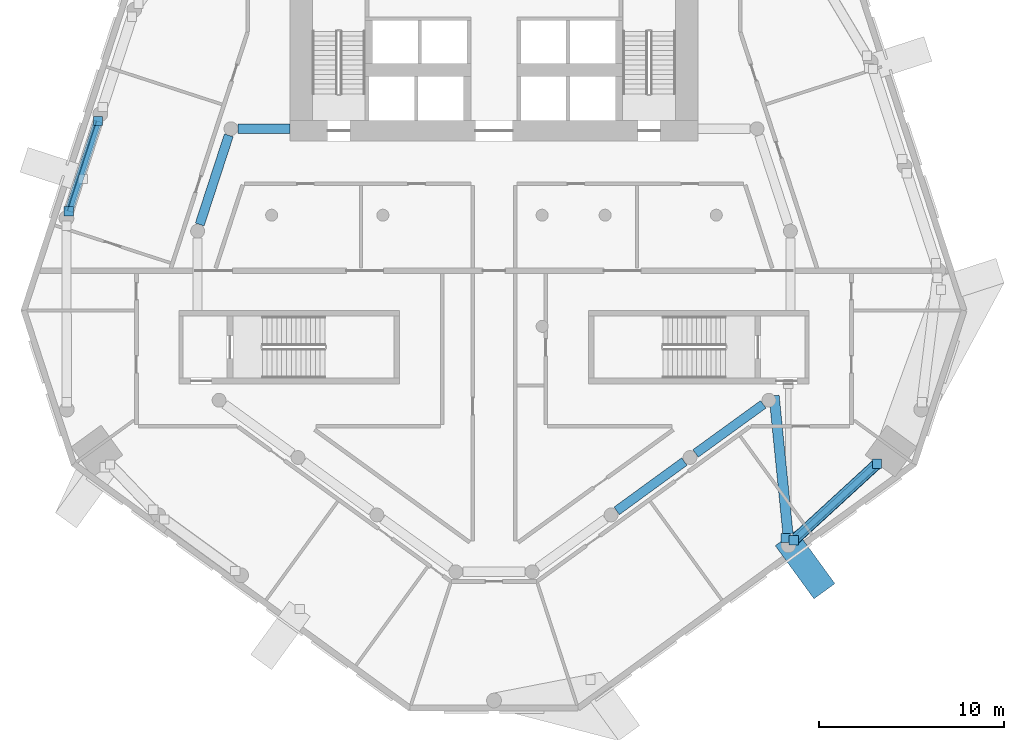
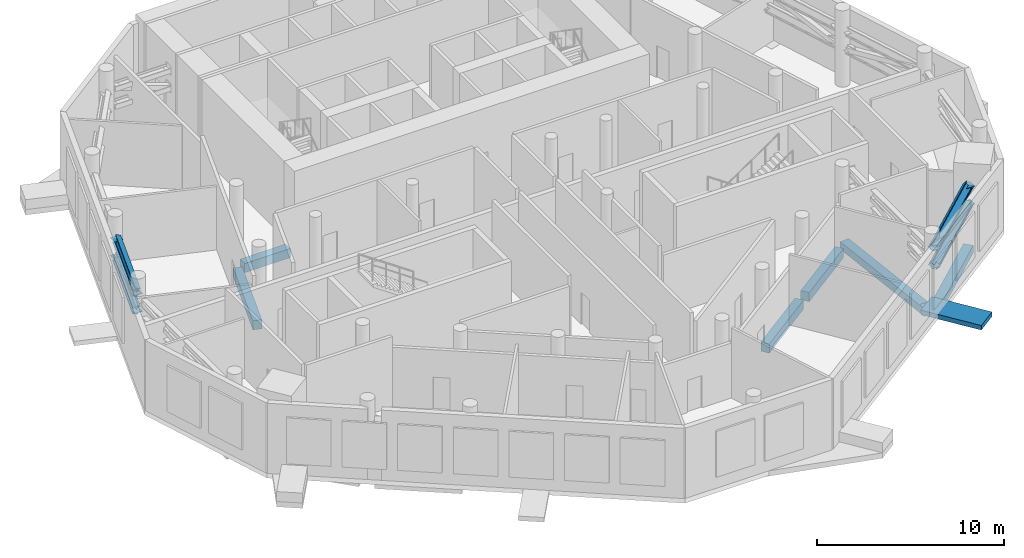
# One storey, part 2 of 15: 9 discrete accessories, 7 members, 6 beams.
"""IFC4 building model written with IfcOpenShell, lengths in metres."""

import ifcopenshell
import ifcopenshell.guid

model = None  # the IFC model being written
_history = None  # IfcOwnerHistory: only IFC2X3 demands one
_inside = {}  # id of a spatial element -> (the spatial element, [elements in it])
_under = {}  # id of a project, library or spatial element -> (it, [spatial elements below it])
_declared = {}  # id of a project -> (the project, [libraries it declares])
_typed = {}  # id of a type object -> (the type object, [elements of that type])
_made_of = {}  # id of a material, layer set ... -> (it, [elements and type objects made of it])


def new_model(schema):
    """Start an empty IFC model of exactly this schema.

    Asked for "IFC4X3", IfcOpenShell would pick the latest addendum, in which some entities
    have other attributes; the version numbers below select the first issue.
    IFC2X3 requires an IfcOwnerHistory on every rooted entity: one is made here for all.
    """
    global model, _history
    if schema == "IFC4X3":
        model = ifcopenshell.file(schema_version=(4, 3, 0, 0))
    else:
        model = ifcopenshell.file(schema=schema)
    _inside.clear()
    _under.clear()
    _declared.clear()
    _typed.clear()
    _made_of.clear()
    _history = None
    if model.schema == "IFC2X3":
        org = make("IfcOrganization", Name="unknown")
        user = make(
            "IfcPersonAndOrganization",
            ThePerson=make("IfcPerson", FamilyName="unknown"),
            TheOrganization=org,
        )
        app = make(
            "IfcApplication",
            ApplicationDeveloper=org,
            Version="unknown",
            ApplicationFullName="unknown",
            ApplicationIdentifier="unknown",
        )
        _history = make(
            "IfcOwnerHistory",
            OwningUser=user,
            OwningApplication=app,
            ChangeAction="ADDED",
            CreationDate=0,
        )
    return model


def make(cls, **values):
    """One entity of the class cls with the attributes given. An attribute that is None is left unset."""
    return model.create_entity(
        cls, **{name: value for name, value in values.items() if value is not None}
    )


def rooted(cls, **values):
    """An entity with a GlobalId (a new one), such as an element, a storey or a relation."""
    return make(cls, GlobalId=ifcopenshell.guid.new(), OwnerHistory=_history, **values)


def si_unit(unit_type, name, prefix=None):
    """IfcSIUnit, for example si_unit("LENGTHUNIT", "METRE", prefix="MILLI")."""
    return make("IfcSIUnit", UnitType=unit_type, Prefix=prefix, Name=name)


def assignment(units):
    """IfcUnitAssignment: the units of a project."""
    return None if units is None else make("IfcUnitAssignment", Units=units)


def point(xyz):
    """IfcCartesianPoint."""
    return None if xyz is None else make("IfcCartesianPoint", Coordinates=xyz)


def direction(xyz):
    """IfcDirection."""
    return None if xyz is None else make("IfcDirection", DirectionRatios=xyz)


def frame(location, z_axis=None, x_axis=None):
    """IfcAxis2Placement3D, a coordinate frame: its origin and axes. An axis left out is left unset."""
    return make(
        "IfcAxis2Placement3D",
        Location=point(location),
        Axis=direction(z_axis),
        RefDirection=direction(x_axis),
    )


def frame_2d(location, x_axis=None):
    """IfcAxis2Placement2D, a coordinate frame in the plane: its origin and x axis."""
    return make(
        "IfcAxis2Placement2D", Location=point(location), RefDirection=direction(x_axis)
    )


def origin():
    """The frame at (0, 0, 0) with its axes left unset."""
    return frame((0.0, 0.0, 0.0))


def origin_2d():
    """The frame at (0, 0) in the plane with its x axis left unset."""
    return frame_2d((0.0, 0.0))


def place(relative_to, where):
    """IfcLocalPlacement: puts the frame where relative to a parent placement (None: the world)."""
    return make(
        "IfcLocalPlacement", PlacementRelTo=relative_to, RelativePlacement=where
    )


def context(
    kind, dimensions, precision=None, world=None, true_north=None, identifier=None
):
    """IfcGeometricRepresentationContext, for example the 3D "Model" context."""
    return make(
        "IfcGeometricRepresentationContext",
        ContextIdentifier=identifier,
        ContextType=kind,
        CoordinateSpaceDimension=dimensions,
        Precision=precision,
        WorldCoordinateSystem=world,
        TrueNorth=true_north,
    )


def subcontext(parent, identifier, kind, view, scale=None):
    """IfcGeometricRepresentationSubContext, for example "Body" below "Model"."""
    return make(
        "IfcGeometricRepresentationSubContext",
        ContextIdentifier=identifier,
        ContextType=kind,
        ParentContext=parent,
        TargetScale=scale,
        TargetView=view,
    )


def project(units=None, contexts=None):
    """IfcProject with its units and contexts."""
    return rooted(
        "IfcProject",
        Name="project",
        RepresentationContexts=contexts,
        UnitsInContext=assignment(units),
    )


def spatial(cls, under=None, at=None, **own):
    """A site, building, storey or space (cls), placed at a placement, below another one or the project."""
    s = rooted(cls, ObjectPlacement=at, **own)
    if under is not None:
        _under.setdefault(under.id(), (under, []))[1].append(s)
    return s


def profile(cls, at=None, kind="AREA", **sizes):
    """A parametric profile (cls). Its sizes go by their IFC names, for example OverallWidth=200.0."""
    return make(cls, ProfileType=kind, Position=at, **sizes)


def rectangle(**sizes):
    """IfcRectangleProfileDef."""
    return profile("IfcRectangleProfileDef", **sizes)


def hollow_rectangle(**sizes):
    """IfcRectangleHollowProfileDef."""
    return profile("IfcRectangleHollowProfileDef", **sizes)


def i_section(**sizes):
    """IfcIShapeProfileDef."""
    return profile("IfcIShapeProfileDef", **sizes)


def extrude(swept, where, along, depth):
    """IfcExtrudedAreaSolid: the profile swept, set in the frame where, extruded along a direction by depth."""
    return make(
        "IfcExtrudedAreaSolid",
        SweptArea=swept,
        Position=where,
        ExtrudedDirection=direction(along),
        Depth=depth,
    )


def shape(context_of_items, identifier, shape_type, items):
    """IfcShapeRepresentation: the items that make up one representation, for example the "Body"."""
    return make(
        "IfcShapeRepresentation",
        ContextOfItems=context_of_items,
        RepresentationIdentifier=identifier,
        RepresentationType=shape_type,
        Items=items,
    )


def material(Name=None, Category=None):
    """IfcMaterial."""
    return make("IfcMaterial", Name=Name, Category=Category)


def layer(
    of_material, thickness, ventilated=None, Name=None, Category=None, Priority=None
):
    """IfcMaterialLayer: one layer of a wall or slab, of a material (None: an air gap)."""
    return make(
        "IfcMaterialLayer",
        Material=of_material,
        LayerThickness=thickness,
        IsVentilated=ventilated,
        Name=Name,
        Category=Category,
        Priority=Priority,
    )


def layer_set(layers, Name=None):
    """IfcMaterialLayerSet."""
    return make("IfcMaterialLayerSet", MaterialLayers=layers, LayerSetName=Name)


def material_profile(
    of_material, cross_section, Name=None, Category=None, Priority=None
):
    """IfcMaterialProfile: a cross section and its material."""
    return make(
        "IfcMaterialProfile",
        Name=Name,
        Material=of_material,
        Profile=cross_section,
        Priority=Priority,
        Category=Category,
    )


def profile_set(profiles, Name=None, composite=None):
    """IfcMaterialProfileSet."""
    return make(
        "IfcMaterialProfileSet",
        Name=Name,
        MaterialProfiles=profiles,
        CompositeProfile=composite,
    )


def made_of(thing, what):
    """Note that an element or type object is made of a material, layer set ...; save() writes the relation."""
    if what is not None:
        _made_of.setdefault(what.id(), (what, []))[1].append(thing)
    return thing


def type_object(cls, material=None, **own):
    """A type object (cls), such as IfcWallType, which elements share."""
    return made_of(rooted(cls, **own), material)


def element(
    cls,
    number,
    at=None,
    inside=None,
    cuts=None,
    type_object=None,
    material=None,
    context=None,
    identifier="Body",
    shape_type=None,
    held_by="IfcProductDefinitionShape",
    body=None,
    shapes=None,
    **own,
):
    """One element of the class cls, such as IfcWall. Its Tag is "e" and its number.

    at: its placement. inside: the storey or other place that contains it. cuts: it is an
    opening in that element (IfcRelVoidsElement). A single representation is given by context,
    identifier, shape_type and body (its items); several are given by shapes. held_by: the class
    of the entity that holds the representations. save() writes the other relations.
    """
    e = rooted(cls, Tag="e%d" % number, ObjectPlacement=at, **own)
    if body is not None:
        shapes = [shape(context, identifier, shape_type, body)]
    if shapes is not None:
        e.Representation = make(held_by, Representations=shapes)
    if inside is not None:
        _inside.setdefault(inside.id(), (inside, []))[1].append(e)
    if cuts is not None:
        rooted(
            "IfcRelVoidsElement", RelatingBuildingElement=cuts, RelatedOpeningElement=e
        )
    if type_object is not None:
        _typed.setdefault(type_object.id(), (type_object, []))[1].append(e)
    return made_of(e, material)


def aggregate(whole, parts):
    """IfcRelAggregates: a whole, such as a stair, and the parts it consists of."""
    return rooted("IfcRelAggregates", RelatingObject=whole, RelatedObjects=parts)


def save(model, path):
    """Write the relations noted so far, then the file.

    IfcRelAggregates (storeys below a building ...), IfcRelContainedInSpatialStructure (elements
    in a storey), IfcRelDefinesByType, IfcRelAssociatesMaterial and IfcRelDeclares: one each for
    every whole, place, type object, material and project.
    """
    for whole, parts in _under.values():
        aggregate(whole, parts)
    for where, things in _inside.values():
        rooted(
            "IfcRelContainedInSpatialStructure",
            RelatedElements=things,
            RelatingStructure=where,
        )
    for kind, things in _typed.values():
        rooted("IfcRelDefinesByType", RelatedObjects=things, RelatingType=kind)
    for what, things in _made_of.values():
        rooted("IfcRelAssociatesMaterial", RelatedObjects=things, RelatingMaterial=what)
    for by, libraries in _declared.values():
        rooted("IfcRelDeclares", RelatingContext=by, RelatedDefinitions=libraries)
    model.write(path)


model = new_model("IFC4")

# Units and contexts
model_context = context("Model", 3, precision=1e-05, world=origin(), true_north=direction((0.0, 1.0)))
body_context = subcontext(model_context, "Body", "Model", "MODEL_VIEW")
ifc_project = project(units=[si_unit("LENGTHUNIT", "METRE"), si_unit("AREAUNIT", "SQUARE_METRE"), si_unit("VOLUMEUNIT", "CUBIC_METRE"), si_unit("PLANEANGLEUNIT", "RADIAN"), si_unit("MASSUNIT", "GRAM", prefix="KILO")], contexts=[model_context])

# Site, building, storey
site_placement = place(None, origin())
site = spatial("IfcSite", under=ifc_project, at=site_placement, CompositionType="ELEMENT")
building_placement = place(site_placement, origin())
building = spatial("IfcBuilding", under=site, at=building_placement, Name="White Candle Pilgrim Tower", CompositionType="ELEMENT")
storey_placement = place(building_placement, frame((0.0, 0.0, 137.60009765625)))
storey = spatial("IfcBuildingStorey", under=building, at=storey_placement, Name="L31", CompositionType="ELEMENT", Elevation=137.60009765625)

# Member
ifc_material_1 = material(Name="Steel S355", Category="steel")
ifc_material_profile_1 = material_profile(ifc_material_1, i_section(OverallWidth=0.305908203125, OverallDepth=0.52392578125, WebThickness=0.02099609375, FlangeThickness=0.0400390625, FilletRadius=0.027099609375, at=origin_2d()), Name="HEM 500")
ifc_profile_set_1 = profile_set([ifc_material_profile_1], Name="Steel S355")
member_type_1 = type_object("IfcMemberType", Name="Belt truss chord HEM 500 S355", PredefinedType="CHORD", material=ifc_profile_set_1)
member_1_placement = place(storey_placement, frame((86.184326171875, 49.450439453125, 2.411865234375), z_axis=(0.736374917929, 0.67657370644, 0.0), x_axis=(0.457750979432, -0.498210818279, 0.736376277034)))
member_1 = element("IfcMember", 1, at=member_1_placement, inside=storey, type_object=member_type_1, Name="L31 belt truss bottom chord 04", PredefinedType="CHORD", context=body_context, shape_type="SweptSolid", body=[
    extrude(i_section(OverallWidth=0.305908203125, OverallDepth=0.52392578125, WebThickness=0.02099609375, FlangeThickness=0.0400390625, FilletRadius=0.027099609375, at=origin_2d()), origin(), (0.0, 0.0, 1.0), 6.103271484375),
])

member_2_placement = place(storey_placement, frame((86.184326171875, 49.450439453125, 3.577880859375), z_axis=(0.736374917929, 0.67657370644, 0.0), x_axis=(0.457750979432, -0.498210818279, 0.736376277034)))
member_2 = element("IfcMember", 2, at=member_2_placement, inside=storey, type_object=member_type_1, Name="L31 belt truss top chord 04", PredefinedType="CHORD", context=body_context, shape_type="SweptSolid", body=[
    extrude(i_section(OverallWidth=0.305908203125, OverallDepth=0.52392578125, WebThickness=0.02099609375, FlangeThickness=0.0400390625, FilletRadius=0.027099609375, at=origin_2d()), origin(), (0.0, 0.0, 1.0), 6.103271484375),
])

member_3_placement = place(storey_placement, frame((48.62646484375, 72.07958984375, 2.411865234375), z_axis=(-0.309123808161, -0.95102180376, 0.0), x_axis=(0.904440757929, -0.293982924726, -0.309129350543)))
member_3 = element("IfcMember", 3, at=member_3_placement, inside=storey, type_object=member_type_1, Name="L31 belt truss bottom chord 13", PredefinedType="CHORD", context=body_context, shape_type="SweptSolid", body=[
    extrude(i_section(OverallWidth=0.305908203125, OverallDepth=0.52392578125, WebThickness=0.02099609375, FlangeThickness=0.0400390625, FilletRadius=0.027099609375, at=origin_2d()), origin(), (0.0, 0.0, 1.0), 5.1201171875),
])

member_4_placement = place(storey_placement, frame((48.62646484375, 72.07958984375, 3.577880859375), z_axis=(-0.309123808161, -0.95102180376, 0.0), x_axis=(0.904440757929, -0.293982924726, -0.309129350543)))
member_4 = element("IfcMember", 4, at=member_4_placement, inside=storey, type_object=member_type_1, Name="L31 belt truss top chord 13", PredefinedType="CHORD", context=body_context, shape_type="SweptSolid", body=[
    extrude(i_section(OverallWidth=0.305908203125, OverallDepth=0.52392578125, WebThickness=0.02099609375, FlangeThickness=0.0400390625, FilletRadius=0.027099609375, at=origin_2d()), origin(), (0.0, 0.0, 1.0), 5.1201171875),
])

# Members
ifc_material_profile_2 = material_profile(ifc_material_1, hollow_rectangle(XDim=0.300048828125, YDim=0.300048828125, WallThickness=0.01611328125, at=origin_2d()), Name="SHS 300x300x16")
ifc_profile_set_2 = profile_set([ifc_material_profile_2], Name="Steel S355")
member_type_2 = type_object("IfcMemberType", Name="Belt truss diagonal SHS 300x300x16 S355", PredefinedType="BRACE", material=ifc_profile_set_2)
member_5_placement = place(storey_placement, frame((86.184326171875, 49.450439453125, 3.577880859375), z_axis=(0.723293901498, 0.664555002985, -0.187650153379), x_axis=(-0.67657370644, 0.736374917929, 0.0)))
element("IfcMember", 5, at=member_5_placement, inside=storey, type_object=member_type_2, Name="L31 belt truss diagonal 04", PredefinedType="BRACE", context=body_context, shape_type="SweptSolid", body=[
    extrude(hollow_rectangle(XDim=0.300048828125, YDim=0.300048828125, WallThickness=0.01611328125, at=origin_2d()), origin(), (0.0, 0.0, 1.0), 6.2138671875),
])
member_6_placement = place(storey_placement, frame((48.62646484375, 72.07958984375, 2.411865234375), z_axis=(-0.301406950662, -0.927280831552, 0.222045287114), x_axis=(0.95102180376, -0.309123808161, 0.0)))
element("IfcMember", 6, at=member_6_placement, inside=storey, type_object=member_type_2, Name="L31 belt truss diagonal 13", PredefinedType="BRACE", context=body_context, shape_type="SweptSolid", body=[
    extrude(hollow_rectangle(XDim=0.300048828125, YDim=0.300048828125, WallThickness=0.01611328125, at=origin_2d()), origin(), (0.0, 0.0, 1.0), 5.251220703125),
])

# Member
ifc_material_2 = material(Name="Concrete C70/85, white", Category="concrete")
ifc_layer_1 = layer(ifc_material_2, 0.300048828125)
ifc_layer_set_1 = layer_set([ifc_layer_1], Name="Node tie strut 3550x1400x300 C70/85")
member_type_3 = type_object("IfcMemberType", Name="Node tie strut 3550x1400x300 C70/85", PredefinedType="STRUT", material=ifc_layer_set_1)
member_7_placement = place(storey_placement, frame((86.793701171875, 48.13720703125, -0.30029296875), z_axis=(0.0, 0.0, 1.0), x_axis=(0.809016994375, 0.587785252292, 0.0)))
member_7 = element("IfcMember", 7, at=member_7_placement, inside=storey, type_object=member_type_3, Name="Node tie strut NC096", PredefinedType="STRUT", context=body_context, shape_type="SweptSolid", body=[
    extrude(rectangle(XDim=1.39990234375, YDim=3.550048828125, at=origin_2d()), origin(), (0.0, 0.0, 1.0), 0.300048828125),
])

# Beams
ifc_material_3 = material(Name="Concrete C50/60", Category="concrete")
ifc_material_profile_3 = material_profile(ifc_material_3, rectangle(XDim=0.5, YDim=0.60009765625, at=origin_2d()), Name="RC-BM 500x600")
ifc_profile_set_3 = profile_set([ifc_material_profile_3], Name="Concrete C50/60")
beam_type_1 = type_object("IfcBeamType", Name="Ring beam RC-BM 500x600 C50/60", PredefinedType="BEAM", material=ifc_profile_set_3)
beam_1_placement = place(storey_placement, frame((76.623046875, 51.04052734375, -0.60009765625), z_axis=(0.808565500751, 0.588406178583, 0.0), x_axis=(-0.588406178583, 0.808565500751, 0.0)))
element("IfcBeam", 8, at=beam_1_placement, inside=storey, type_object=beam_type_1, Name="L31 ring beam R06", PredefinedType="BEAM", context=body_context, shape_type="SweptSolid", body=[
    extrude(rectangle(XDim=0.5, YDim=0.60009765625, at=origin_2d()), origin(), (0.0, 0.0, 1.0), 4.518798828125),
])
beam_2_placement = place(storey_placement, frame((80.88330078125, 54.14013671875, -0.60009765625), z_axis=(0.809505029053, 0.587112943084, 0.0), x_axis=(-0.587112943084, 0.809505029053, 0.0)))
element("IfcBeam", 9, at=beam_2_placement, inside=storey, type_object=beam_type_1, Name="L31 ring beam R07", PredefinedType="BEAM", context=body_context, shape_type="SweptSolid", body=[
    extrude(rectangle(XDim=0.5, YDim=0.60009765625, at=origin_2d()), origin(), (0.0, 0.0, 1.0), 4.512939453125),
])
beam_3_placement = place(storey_placement, frame((56.175048828125, 71.669921875, -0.60009765625), z_axis=(1.0, 0.0, 0.0), x_axis=(0.0, 1.0, 0.0)))
element("IfcBeam", 10, at=beam_3_placement, inside=storey, type_object=beam_type_1, Name="L31 ring beam R11", PredefinedType="BEAM", context=body_context, shape_type="SweptSolid", body=[
    extrude(rectangle(XDim=0.5, YDim=0.60009765625, at=origin_2d()), origin(), (0.0, 0.0, 1.0), 2.824951171875),
])
beam_4_placement = place(storey_placement, frame((55.68408203125, 71.3134765625, -0.60009765625), z_axis=(-0.309554632353, -0.950881659087, 0.0), x_axis=(0.950881659087, -0.309554632353, 0.0)))
element("IfcBeam", 11, at=beam_4_placement, inside=storey, type_object=beam_type_1, Name="L31 ring beam R12", PredefinedType="BEAM", context=body_context, shape_type="SweptSolid", body=[
    extrude(rectangle(XDim=0.5, YDim=0.60009765625, at=origin_2d()), origin(), (0.0, 0.0, 1.0), 5.065673828125),
])
ifc_material_profile_4 = material_profile(ifc_material_3, rectangle(XDim=0.550048828125, YDim=0.5, at=origin_2d()), Name="RC-BM 550x500")
ifc_profile_set_4 = profile_set([ifc_material_profile_4], Name="Concrete C50/60")
beam_type_2 = type_object("IfcBeamType", Name="Spandrel beam RC-BM 550x500 C50/60", PredefinedType="BEAM", material=ifc_profile_set_4)
beam_5_placement = place(storey_placement, frame((85.889892578125, 49.580078125, -0.550048828125), z_axis=(-0.099547579937, 0.995032803142, 0.0), x_axis=(-0.995032803142, -0.099547579937, 0.0)))
element("IfcBeam", 12, at=beam_5_placement, inside=storey, type_object=beam_type_2, Name="L31 spandrel beam T03", PredefinedType="BEAM", context=body_context, shape_type="SweptSolid", body=[
    extrude(rectangle(XDim=0.550048828125, YDim=0.5, at=origin_2d()), origin(), (0.0, 0.0, 1.0), 7.715576171875),
])
beam_6_placement = place(storey_placement, frame((86.184326171875, 49.450439453125, -0.550048828125), z_axis=(0.736374917929, 0.67657370644, 0.0), x_axis=(-0.67657370644, 0.736374917929, 0.0)))
element("IfcBeam", 13, at=beam_6_placement, inside=storey, type_object=beam_type_2, Name="L31 spandrel beam T04", PredefinedType="BEAM", context=body_context, shape_type="SweptSolid", body=[
    extrude(rectangle(XDim=0.550048828125, YDim=0.5, at=origin_2d()), origin(), (0.0, 0.0, 1.0), 6.103271484375),
])

# Discrete accessory
ifc_layer_2 = layer(ifc_material_1, 0.02490234375)
ifc_layer_set_2 = layer_set([ifc_layer_2], Name="Gusset plate 500x500x25 S355")
discrete_accessory_type = type_object("IfcDiscreteAccessoryType", Name="Gusset plate 500x500x25 S355", PredefinedType="BRACKET", material=ifc_layer_set_2)
discrete_accessory_1_placement = place(storey_placement, frame((85.750244140625, 49.572998046875, -0.16259765625), z_axis=(0.0, 0.0, 1.0), x_axis=(1.0, 0.0, 0.0)))
discrete_accessory_1 = element("IfcDiscreteAccessory", 14, at=discrete_accessory_1_placement, type_object=discrete_accessory_type, Name="Gusset plate 0477", PredefinedType="BRACKET", context=body_context, shape_type="SweptSolid", body=[
    extrude(rectangle(XDim=0.5, YDim=0.5, at=origin_2d()), origin(), (0.0, 0.0, 1.0), 0.02490234375),
])

aggregate(member_7, [discrete_accessory_1])

discrete_accessory_2_placement = place(storey_placement, frame((86.184326171875, 49.450439453125, 2.3994140625), z_axis=(0.0, 0.0, 1.0), x_axis=(1.0, 0.0, 0.0)))
discrete_accessory_2 = element("IfcDiscreteAccessory", 15, at=discrete_accessory_2_placement, type_object=discrete_accessory_type, Name="Gusset plate 0734", PredefinedType="BRACKET", context=body_context, shape_type="SweptSolid", body=[
    extrude(rectangle(XDim=0.5, YDim=0.5, at=origin_2d()), origin(), (0.0, 0.0, 1.0), 0.02490234375),
])

discrete_accessory_3_placement = place(storey_placement, frame((90.6787109375, 53.579833984375, 2.3994140625), z_axis=(0.0, 0.0, 1.0), x_axis=(1.0, 0.0, 0.0)))
discrete_accessory_3 = element("IfcDiscreteAccessory", 16, at=discrete_accessory_3_placement, type_object=discrete_accessory_type, Name="Gusset plate 0735", PredefinedType="BRACKET", context=body_context, shape_type="SweptSolid", body=[
    extrude(rectangle(XDim=0.5, YDim=0.5, at=origin_2d()), origin(), (0.0, 0.0, 1.0), 0.02490234375),
])

aggregate(member_1, [discrete_accessory_2, discrete_accessory_3])

discrete_accessory_4_placement = place(storey_placement, frame((86.184326171875, 49.450439453125, 3.5654296875), z_axis=(0.0, 0.0, 1.0), x_axis=(1.0, 0.0, 0.0)))
discrete_accessory_4 = element("IfcDiscreteAccessory", 17, at=discrete_accessory_4_placement, type_object=discrete_accessory_type, Name="Gusset plate 0736", PredefinedType="BRACKET", context=body_context, shape_type="SweptSolid", body=[
    extrude(rectangle(XDim=0.5, YDim=0.5, at=origin_2d()), origin(), (0.0, 0.0, 1.0), 0.02490234375),
])

discrete_accessory_5_placement = place(storey_placement, frame((90.6787109375, 53.579833984375, 3.5654296875), z_axis=(0.0, 0.0, 1.0), x_axis=(1.0, 0.0, 0.0)))
discrete_accessory_5 = element("IfcDiscreteAccessory", 18, at=discrete_accessory_5_placement, type_object=discrete_accessory_type, Name="Gusset plate 0737", PredefinedType="BRACKET", context=body_context, shape_type="SweptSolid", body=[
    extrude(rectangle(XDim=0.5, YDim=0.5, at=origin_2d()), origin(), (0.0, 0.0, 1.0), 0.02490234375),
])

aggregate(member_2, [discrete_accessory_4, discrete_accessory_5])

discrete_accessory_6_placement = place(storey_placement, frame((48.62646484375, 72.07958984375, 2.3994140625), z_axis=(0.0, 0.0, 1.0), x_axis=(1.0, 0.0, 0.0)))
discrete_accessory_6 = element("IfcDiscreteAccessory", 19, at=discrete_accessory_6_placement, type_object=discrete_accessory_type, Name="Gusset plate 0770", PredefinedType="BRACKET", context=body_context, shape_type="SweptSolid", body=[
    extrude(rectangle(XDim=0.5, YDim=0.5, at=origin_2d()), origin(), (0.0, 0.0, 1.0), 0.02490234375),
])

discrete_accessory_7_placement = place(storey_placement, frame((47.043701171875, 67.210205078125, 2.3994140625), z_axis=(0.0, 0.0, 1.0), x_axis=(1.0, 0.0, 0.0)))
discrete_accessory_7 = element("IfcDiscreteAccessory", 20, at=discrete_accessory_7_placement, type_object=discrete_accessory_type, Name="Gusset plate 0771", PredefinedType="BRACKET", context=body_context, shape_type="SweptSolid", body=[
    extrude(rectangle(XDim=0.5, YDim=0.5, at=origin_2d()), origin(), (0.0, 0.0, 1.0), 0.02490234375),
])

aggregate(member_3, [discrete_accessory_6, discrete_accessory_7])

discrete_accessory_8_placement = place(storey_placement, frame((48.62646484375, 72.07958984375, 3.5654296875), z_axis=(0.0, 0.0, 1.0), x_axis=(1.0, 0.0, 0.0)))
discrete_accessory_8 = element("IfcDiscreteAccessory", 21, at=discrete_accessory_8_placement, type_object=discrete_accessory_type, Name="Gusset plate 0772", PredefinedType="BRACKET", context=body_context, shape_type="SweptSolid", body=[
    extrude(rectangle(XDim=0.5, YDim=0.5, at=origin_2d()), origin(), (0.0, 0.0, 1.0), 0.02490234375),
])

discrete_accessory_9_placement = place(storey_placement, frame((47.043701171875, 67.210205078125, 3.5654296875), z_axis=(0.0, 0.0, 1.0), x_axis=(1.0, 0.0, 0.0)))
discrete_accessory_9 = element("IfcDiscreteAccessory", 22, at=discrete_accessory_9_placement, type_object=discrete_accessory_type, Name="Gusset plate 0773", PredefinedType="BRACKET", context=body_context, shape_type="SweptSolid", body=[
    extrude(rectangle(XDim=0.5, YDim=0.5, at=origin_2d()), origin(), (0.0, 0.0, 1.0), 0.02490234375),
])

aggregate(member_4, [discrete_accessory_8, discrete_accessory_9])

save(model, "model.ifc")
